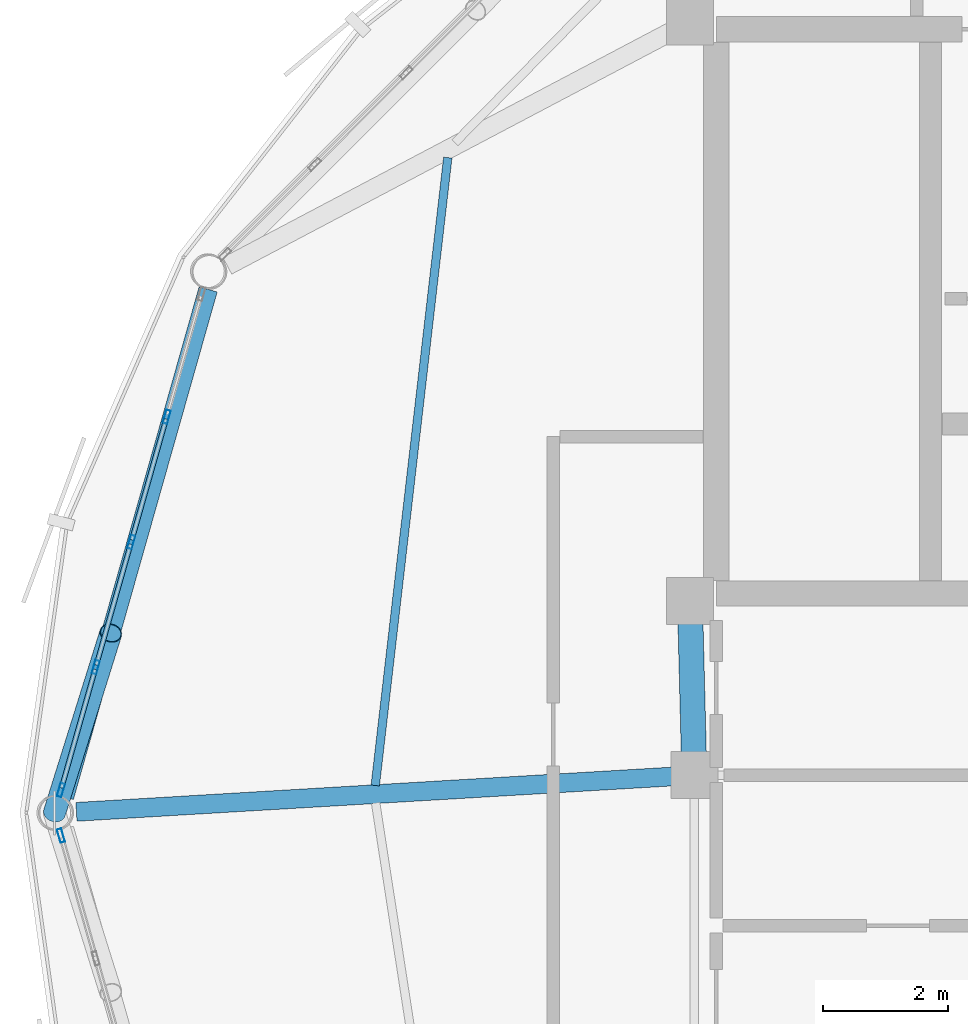
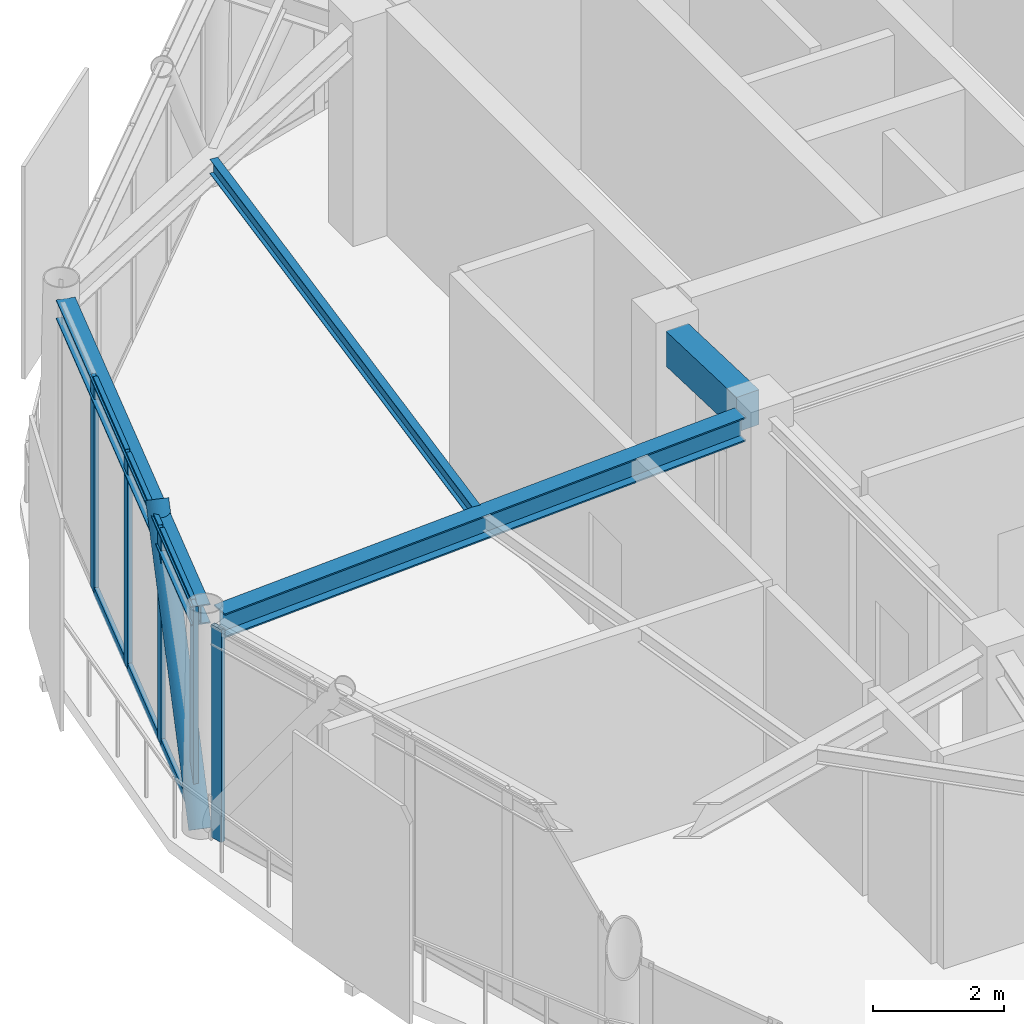
# One storey, part 7 of 20: 12 members, 4 beams, 2 elements without a shape of their own.
"""IFC4 building model written with IfcOpenShell, lengths in metres."""

from ifc_helpers import new_model, si_unit, direction, frame, origin, origin_2d, place, context, subcontext, project, spatial, rectangle, hollow_rectangle, hollow_circle, i_section, extrude, material, layer, layer_set, material_profile, profile_set, type_object, element, aggregate, save


model = new_model("IFC4")

# Units and contexts
model_context = context("Model", 3, precision=1e-05, world=origin(), true_north=direction((0.0, 1.0)))
body_context = subcontext(model_context, "Body", "Model", "MODEL_VIEW")
ifc_project = project(units=[si_unit("LENGTHUNIT", "METRE"), si_unit("AREAUNIT", "SQUARE_METRE"), si_unit("VOLUMEUNIT", "CUBIC_METRE"), si_unit("PLANEANGLEUNIT", "RADIAN"), si_unit("MASSUNIT", "GRAM", prefix="KILO")], contexts=[model_context])

# Site, building, storey
site_placement = place(None, origin())
site = spatial("IfcSite", under=ifc_project, at=site_placement, CompositionType="ELEMENT")
building_placement = place(site_placement, origin())
building = spatial("IfcBuilding", under=site, at=building_placement, Name="Varnakorn Sky Granary", CompositionType="ELEMENT")
storey_placement = place(building_placement, frame((0.0, 0.0, 306.60009765625)))
storey = spatial("IfcBuildingStorey", under=building, at=storey_placement, Name="L78", CompositionType="ELEMENT", Elevation=306.60009765625)

# Beams
ifc_material_1 = material(Name="Concrete C50/60", Category="concrete")
ifc_material_profile_1 = material_profile(ifc_material_1, rectangle(XDim=0.39990234375, YDim=0.64990234375, at=origin_2d()), Name="RC 400x650")
ifc_profile_set_1 = profile_set([ifc_material_profile_1], Name="Concrete C50/60")
beam_type_1 = type_object("IfcBeamType", Name="BM-LIN-650", PredefinedType="LINTEL", material=ifc_profile_set_1)
beam_1_placement = place(storey_placement, frame((-2.4111328125, 3.025146484375, 3.635009765625), z_axis=(0.025227817192, -0.999681727971, 0.0), x_axis=(0.999681727971, 0.025227817192, 0.0)))
element("IfcBeam", 1, at=beam_1_placement, inside=storey, type_object=beam_type_1, Name="Core Spine Framing Beam 1 L78", PredefinedType="LINTEL", context=body_context, shape_type="SweptSolid", body=[
    extrude(rectangle(XDim=0.39990234375, YDim=0.64990234375, at=origin_2d()), origin(), (0.0, 0.0, 1.0), 2.071044921875),
])
ifc_material_2 = material(Name="Steel S355JR", Category="steel")
ifc_material_profile_2 = material_profile(ifc_material_2, i_section(OverallWidth=0.300048828125, OverallDepth=0.449951171875, WebThickness=0.013916015625, FlangeThickness=0.02587890625, at=origin_2d()), Name="HE 450 B")
ifc_profile_set_2 = profile_set([ifc_material_profile_2], Name="Steel S355JR")
beam_type_2 = type_object("IfcBeamType", Name="BM-RAD-Z5", PredefinedType="BEAM", material=ifc_profile_set_2)
beam_2_placement = place(storey_placement, frame((-2.704345703125, 0.5791015625, 3.73486328125), z_axis=(-0.998246581513, -0.05919258819, 0.0), x_axis=(0.05919258819, -0.998246581513, 0.0)))
element("IfcBeam", 2, at=beam_2_placement, inside=storey, type_object=beam_type_2, Name="Radial Floor Girder RG07 L78", PredefinedType="BEAM", context=body_context, shape_type="SweptSolid", body=[
    extrude(i_section(OverallWidth=0.300048828125, OverallDepth=0.449951171875, WebThickness=0.013916015625, FlangeThickness=0.02587890625, at=origin_2d()), origin(), (0.0, 0.0, 1.0), 9.519287109375),
])
ifc_material_profile_3 = material_profile(ifc_material_2, i_section(OverallWidth=0.135009765625, OverallDepth=0.27001953125, WebThickness=0.006591796875, FlangeThickness=0.01025390625, at=origin_2d()), Name="IPE 270")
ifc_profile_set_3 = profile_set([ifc_material_profile_3], Name="Steel S355JR")
beam_type_3 = type_object("IfcBeamType", Name="BM-SEC-Z5", PredefinedType="BEAM", material=ifc_profile_set_3)
beam_3_placement = place(storey_placement, frame((-6.282958984375, 10.451904296875, 3.824951171875), z_axis=(-0.114730724076, -0.993396628217, 0.0), x_axis=(0.993396628217, -0.114730724076, 0.0)))
element("IfcBeam", 3, at=beam_3_placement, inside=storey, type_object=beam_type_3, Name="Secondary Floor Chord Beam MSB06 L78", PredefinedType="BEAM", context=body_context, shape_type="SweptSolid", body=[
    extrude(i_section(OverallWidth=0.135009765625, OverallDepth=0.27001953125, WebThickness=0.006591796875, FlangeThickness=0.01025390625, at=origin_2d()), origin(), (0.0, 0.0, 1.0), 10.082275390625),
])
ifc_material_profile_4 = material_profile(ifc_material_2, i_section(OverallWidth=0.300048828125, OverallDepth=0.360107421875, WebThickness=0.012451171875, FlangeThickness=0.0224609375, at=origin_2d()), Name="HE 360 B")
ifc_profile_set_4 = profile_set([ifc_material_profile_4], Name="Steel S355JR")
beam_type_4 = type_object("IfcBeamType", Name="BM-SPD-Z5", PredefinedType="SPANDREL", material=ifc_profile_set_4)
beam_4_placement = place(storey_placement, frame((-10.105712890625, 8.349609375, 3.77978515625), z_axis=(-0.272555118521, -0.962140170333, 0.0), x_axis=(0.962140170333, -0.272555118521, 0.0)))
element("IfcBeam", 4, at=beam_4_placement, inside=storey, type_object=beam_type_4, Name="Perimeter Spandrel Ring Beam RB06 L78", PredefinedType="SPANDREL", context=body_context, shape_type="SweptSolid", body=[
    extrude(i_section(OverallWidth=0.300048828125, OverallDepth=0.360107421875, WebThickness=0.012451171875, FlangeThickness=0.0224609375, at=origin_2d()), origin(), (0.0, 0.0, 1.0), 8.413818359375),
])

# Curtain wall, members
ifc_material_3 = material(Name="Anodised Bronze Aluminium Alloy 6063-T6", Category="aluminium")
ifc_layer = layer(ifc_material_3, 0.22998046875, Name="Anodised Bronze Aluminium Alloy 6063-T6")
ifc_layer_set = layer_set([ifc_layer], Name="Anodised Bronze Aluminium Alloy 6063-T6")
curtain_wall_type = type_object("IfcCurtainWallType", Name="CW-LNT-1", PredefinedType="USERDEFINED", material=ifc_layer_set)
curtain_wall_1_placement = place(storey_placement, origin())
curtain_wall_1 = element("IfcCurtainWall", 5, at=curtain_wall_1_placement, inside=storey, type_object=curtain_wall_type, Name="Unitised Curtain Wall CW7 CW-L78-B06", ObjectType="CURTAIN WALL", PredefinedType="USERDEFINED")
ifc_material_profile_5 = material_profile(ifc_material_3, hollow_rectangle(XDim=0.074951171875, YDim=0.219970703125, WallThickness=0.00390625, at=origin_2d()), Name="ALU MULL 75x220")
ifc_profile_set_5 = profile_set([ifc_material_profile_5], Name="Anodised Bronze Aluminium Alloy 6063-T6")
member_type_1 = type_object("IfcMemberType", Name="CW-LNT-1-MULL", PredefinedType="MULLION", material=ifc_profile_set_5)
member_1_placement = place(storey_placement, frame((-12.4541015625, 0.36279296875, 0.0), z_axis=(0.0, 0.0, 1.0), x_axis=(-0.962094649549, 0.272715759188, 0.0)))
member_1 = element("IfcMember", 6, at=member_1_placement, type_object=member_type_1, Name="CW7 mullion 1", PredefinedType="MULLION", context=body_context, shape_type="SweptSolid", body=[
    extrude(hollow_rectangle(XDim=0.074951171875, YDim=0.219970703125, WallThickness=0.00390625, at=origin_2d()), origin(), (0.0, 0.0, 1.0), 3.9599609375),
])
member_2_placement = place(storey_placement, frame((-11.8984375, 2.3232421875, 0.0), z_axis=(0.0, 0.0, 1.0), x_axis=(-0.962094649549, 0.272715759188, 0.0)))
member_2 = element("IfcMember", 7, at=member_2_placement, type_object=member_type_1, Name="CW7 mullion 2", PredefinedType="MULLION", context=body_context, shape_type="SweptSolid", body=[
    extrude(hollow_rectangle(XDim=0.074951171875, YDim=0.219970703125, WallThickness=0.00390625, at=origin_2d()), origin(), (0.0, 0.0, 1.0), 3.9599609375),
])
member_3_placement = place(storey_placement, frame((-11.33251953125, 4.31982421875, 0.0), z_axis=(0.0, 0.0, 1.0), x_axis=(-0.962094649549, 0.272715759188, 0.0)))
member_3 = element("IfcMember", 8, at=member_3_placement, type_object=member_type_1, Name="CW7 mullion 3", PredefinedType="MULLION", context=body_context, shape_type="SweptSolid", body=[
    extrude(hollow_rectangle(XDim=0.074951171875, YDim=0.219970703125, WallThickness=0.00390625, at=origin_2d()), origin(), (0.0, 0.0, 1.0), 3.9599609375),
])
member_4_placement = place(storey_placement, frame((-10.7666015625, 6.31640625, 0.0), z_axis=(0.0, 0.0, 1.0), x_axis=(-0.962094649549, 0.272715759188, 0.0)))
member_4 = element("IfcMember", 9, at=member_4_placement, type_object=member_type_1, Name="CW7 mullion 4", PredefinedType="MULLION", context=body_context, shape_type="SweptSolid", body=[
    extrude(hollow_rectangle(XDim=0.074951171875, YDim=0.219970703125, WallThickness=0.00390625, at=origin_2d()), origin(), (0.0, 0.0, 1.0), 3.9599609375),
])

# Curtain wall, member
curtain_wall_2_placement = place(storey_placement, origin())
curtain_wall_2 = element("IfcCurtainWall", 10, at=curtain_wall_2_placement, inside=storey, type_object=curtain_wall_type, Name="Unitised Curtain Wall CW7 CW-L78-B07", ObjectType="CURTAIN WALL", PredefinedType="USERDEFINED")
member_5_placement = place(storey_placement, frame((-12.4541015625, -0.36279296875, 0.0), z_axis=(0.0, 0.0, 1.0), x_axis=(-0.962094649549, -0.272715759188, 0.0)))
member_5 = element("IfcMember", 11, at=member_5_placement, type_object=member_type_1, Name="CW7 mullion 5", PredefinedType="MULLION", context=body_context, shape_type="SweptSolid", body=[
    extrude(hollow_rectangle(XDim=0.074951171875, YDim=0.219970703125, WallThickness=0.00390625, at=origin_2d()), origin(), (0.0, 0.0, 1.0), 3.9599609375),
])
aggregate(curtain_wall_2, [member_5])

# Member
ifc_material_profile_6 = material_profile(ifc_material_3, hollow_rectangle(XDim=0.074951171875, YDim=0.159912109375, WallThickness=0.00390625, at=origin_2d()), Name="ALU TRAN 75x160")
ifc_profile_set_6 = profile_set([ifc_material_profile_6], Name="Anodised Bronze Aluminium Alloy 6063-T6")
member_type_2 = type_object("IfcMemberType", Name="CW-LNT-1-TRAN", PredefinedType="USERDEFINED", material=ifc_profile_set_6)
member_6_placement = place(storey_placement, frame((-12.44384765625, 0.398681640625, 0.037353515625), z_axis=(0.272650547576, 0.962113132072, 0.0), x_axis=(-0.962113132072, 0.272650547576, 0.0)))
member_6 = element("IfcMember", 12, at=member_6_placement, type_object=member_type_2, Name="CW7 transom 1.1", ObjectType="TRANSOM", PredefinedType="USERDEFINED", context=body_context, shape_type="SweptSolid", body=[
    extrude(hollow_rectangle(XDim=0.074951171875, YDim=0.159912109375, WallThickness=0.00390625, at=origin_2d()), origin(), (0.0, 0.0, 1.0), 1.962890625),
])

member_7_placement = place(storey_placement, frame((-12.44384765625, 0.398681640625, 3.92236328125), z_axis=(0.272650547576, 0.962113132072, 0.0), x_axis=(-0.962113132072, 0.272650547576, 0.0)))
member_7 = element("IfcMember", 13, at=member_7_placement, type_object=member_type_2, Name="CW7 transom 1.2", ObjectType="TRANSOM", PredefinedType="USERDEFINED", context=body_context, shape_type="SweptSolid", body=[
    extrude(hollow_rectangle(XDim=0.074951171875, YDim=0.159912109375, WallThickness=0.00390625, at=origin_2d()), origin(), (0.0, 0.0, 1.0), 1.962890625),
])

member_8_placement = place(storey_placement, frame((-11.88818359375, 2.359375, 0.037353515625), z_axis=(0.272689198876, 0.96210217795, 0.0), x_axis=(-0.96210217795, 0.272689198876, 0.0)))
member_8 = element("IfcMember", 14, at=member_8_placement, type_object=member_type_2, Name="CW7 transom 2.1", ObjectType="TRANSOM", PredefinedType="USERDEFINED", context=body_context, shape_type="SweptSolid", body=[
    extrude(hollow_rectangle(XDim=0.074951171875, YDim=0.159912109375, WallThickness=0.00390625, at=origin_2d()), origin(), (0.0, 0.0, 1.0), 2.0),
])

member_9_placement = place(storey_placement, frame((-11.88818359375, 2.359375, 3.92236328125), z_axis=(0.272689198876, 0.96210217795, 0.0), x_axis=(-0.96210217795, 0.272689198876, 0.0)))
member_9 = element("IfcMember", 15, at=member_9_placement, type_object=member_type_2, Name="CW7 transom 2.2", ObjectType="TRANSOM", PredefinedType="USERDEFINED", context=body_context, shape_type="SweptSolid", body=[
    extrude(hollow_rectangle(XDim=0.074951171875, YDim=0.159912109375, WallThickness=0.00390625, at=origin_2d()), origin(), (0.0, 0.0, 1.0), 2.0),
])

member_10_placement = place(storey_placement, frame((-11.322265625, 4.355712890625, 0.037353515625), z_axis=(0.272657178609, 0.962111252898, 0.0), x_axis=(-0.962111252898, 0.272657178609, 0.0)))
member_10 = element("IfcMember", 16, at=member_10_placement, type_object=member_type_2, Name="CW7 transom 3.1", ObjectType="TRANSOM", PredefinedType="USERDEFINED", context=body_context, shape_type="SweptSolid", body=[
    extrude(hollow_rectangle(XDim=0.074951171875, YDim=0.159912109375, WallThickness=0.00390625, at=origin_2d()), origin(), (0.0, 0.0, 1.0), 2.000244140625),
])

member_11_placement = place(storey_placement, frame((-11.322265625, 4.355712890625, 3.92236328125), z_axis=(0.272657178609, 0.962111252898, 0.0), x_axis=(-0.962111252898, 0.272657178609, 0.0)))
member_11 = element("IfcMember", 17, at=member_11_placement, type_object=member_type_2, Name="CW7 transom 3.2", ObjectType="TRANSOM", PredefinedType="USERDEFINED", context=body_context, shape_type="SweptSolid", body=[
    extrude(hollow_rectangle(XDim=0.074951171875, YDim=0.159912109375, WallThickness=0.00390625, at=origin_2d()), origin(), (0.0, 0.0, 1.0), 2.000244140625),
])

aggregate(curtain_wall_1, [member_1, member_2, member_3, member_4, member_6, member_7, member_8, member_9, member_10, member_11])

ifc_material_4 = material(Name="Steel S460M", Category="steel")
ifc_material_profile_7 = material_profile(ifc_material_4, hollow_circle(Radius=0.177734375, WallThickness=0.01416015625, at=origin_2d()), Name="CHS 355.6x14")
ifc_profile_set_7 = profile_set([ifc_material_profile_7], Name="Steel S460M")
member_type_3 = type_object("IfcMemberType", Name="MB-DIAG-T5", PredefinedType="BRACE", material=ifc_profile_set_7)
member_12_placement = place(storey_placement, frame((-12.556884765625, 0.0, 0.0), z_axis=(0.177020502448, 0.565070609308, 0.805828113316), x_axis=(-0.954270149738, 0.29894561599, 0.0)))
element("IfcMember", 18, at=member_12_placement, inside=storey, type_object=member_type_3, Name="Perimeter CHS Diagrid Brace DG06 L78", PredefinedType="BRACE", context=body_context, shape_type="SweptSolid", body=[
    extrude(hollow_circle(Radius=0.177734375, WallThickness=0.01416015625, at=origin_2d()), origin(), (0.0, 0.0, 1.0), 5.075439453125),
])

save(model, "model.ifc")
